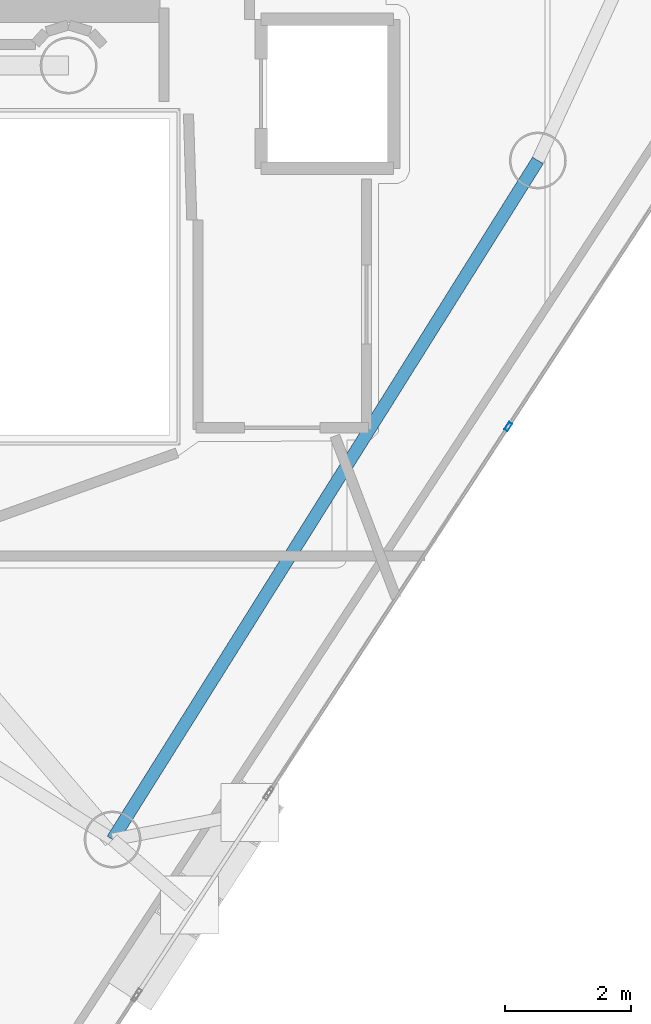
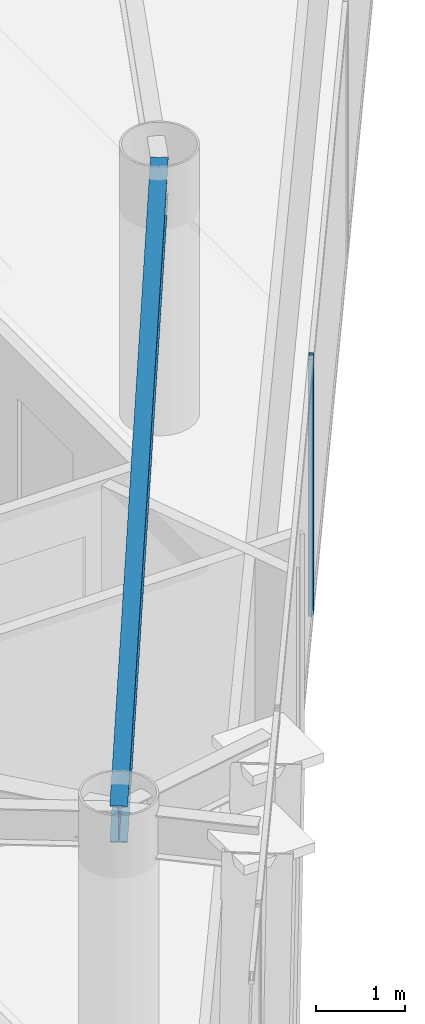
# One storey, part 6 of 25: 1 beam, 1 member, 1 element without a shape of its own.
"""IFC4 building model written with IfcOpenShell, lengths in metres."""

from ifc_helpers import new_model, si_unit, direction, frame, origin, origin_2d, place, context, subcontext, project, spatial, hollow_rectangle, i_section, extrude, material, layer, layer_set, material_profile, profile_set, type_object, element, aggregate, save


model = new_model("IFC4")

# Units and contexts
model_context = context("Model", 3, precision=1e-05, world=origin(), true_north=direction((0.0, 1.0)))
body_context = subcontext(model_context, "Body", "Model", "MODEL_VIEW")
ifc_project = project(units=[si_unit("LENGTHUNIT", "METRE"), si_unit("AREAUNIT", "SQUARE_METRE"), si_unit("VOLUMEUNIT", "CUBIC_METRE"), si_unit("PLANEANGLEUNIT", "RADIAN"), si_unit("MASSUNIT", "GRAM", prefix="KILO")], contexts=[model_context])

# Site, building, storey
site_placement = place(None, origin())
site = spatial("IfcSite", under=ifc_project, at=site_placement, CompositionType="ELEMENT")
building_placement = place(site_placement, origin())
building = spatial("IfcBuilding", under=site, at=building_placement, Name="Qianvela Tower", CompositionType="ELEMENT")
storey_placement = place(building_placement, frame((0.0, 0.0, 288.0)))
storey = spatial("IfcBuildingStorey", under=building, at=storey_placement, Name="L74", CompositionType="ELEMENT", Elevation=288.0)

# Beam
ifc_material_1 = material(Name="Steel Q355B", Category="steel")
ifc_material_profile_1 = material_profile(ifc_material_1, i_section(OverallWidth=0.199951171875, OverallDepth=0.5, WebThickness=0.010009765625, FlangeThickness=0.01611328125, at=origin_2d()), Name="HN500x200x10x16")
ifc_profile_set_1 = profile_set([ifc_material_profile_1], Name="Steel Q355B")
beam_type = type_object("IfcBeamType", Name="BM-HN500-GIRD", PredefinedType="BEAM", material=ifc_profile_set_1)
beam_placement = place(storey_placement, frame((39.095947265625, 11.587890625, 3.26806640625), z_axis=(0.530840654868, 0.847471650935, 0.0), x_axis=(-0.847471650935, 0.530840654868, 0.0)))
element("IfcBeam", 1, at=beam_placement, inside=storey, type_object=beam_type, Name="L74 Perimeter Ring Spandrel Girder 5", PredefinedType="BEAM", context=body_context, shape_type="SweptSolid", body=[
    extrude(i_section(OverallWidth=0.199951171875, OverallDepth=0.5, WebThickness=0.010009765625, FlangeThickness=0.01611328125, at=origin_2d()), origin(), (0.0, 0.0, 1.0), 12.693115234375),
])

# Curtain wall, member
ifc_material_2 = material(Name="Anodised Architectural Aluminium and Low-E Glass", Category="aluminium")
ifc_layer = layer(ifc_material_2, 0.14990234375)
ifc_layer_set = layer_set([ifc_layer], Name="Anodised Architectural Aluminium and Low-E Glass")
curtain_wall_type = type_object("IfcCurtainWallType", Name="CW-COLIV-Z78", PredefinedType="USERDEFINED", material=ifc_layer_set)
curtain_wall_placement = place(storey_placement, origin())
curtain_wall = element("IfcCurtainWall", 2, at=curtain_wall_placement, inside=storey, type_object=curtain_wall_type, Name="L74 CW-COLIV-Z78 Curtain Wall 06C", ObjectType="CURTAIN_WALL_SYSTEM", PredefinedType="USERDEFINED")
ifc_material_3 = material(Name="Anodised Architectural Aluminium 6063-T6", Category="aluminium")
ifc_material_profile_2 = material_profile(ifc_material_3, hollow_rectangle(XDim=0.06005859375, YDim=0.139892578125, WallThickness=0.00439453125, at=origin_2d()), Name="ALU-MULL-60x140")
ifc_profile_set_2 = profile_set([ifc_material_profile_2], Name="Anodised Architectural Aluminium 6063-T6")
member_type = type_object("IfcMemberType", Name="CW-COLIV-Z78-MULL", PredefinedType="MULLION", material=ifc_profile_set_2)
member_placement = place(storey_placement, frame((45.364501953125, 18.12841796875, 0.0), z_axis=(0.0, 0.0, 1.0), x_axis=(-0.837079522696, 0.547081230424, 0.0)))
member = element("IfcMember", 3, at=member_placement, type_object=member_type, Name="CW-6 mullion 2", PredefinedType="MULLION", context=body_context, shape_type="SweptSolid", body=[
    extrude(hollow_rectangle(XDim=0.06005859375, YDim=0.139892578125, WallThickness=0.00439453125, at=origin_2d()), origin(), (0.0, 0.0, 1.0), 3.52001953125),
])
aggregate(curtain_wall, [member])

save(model, "model.ifc")
